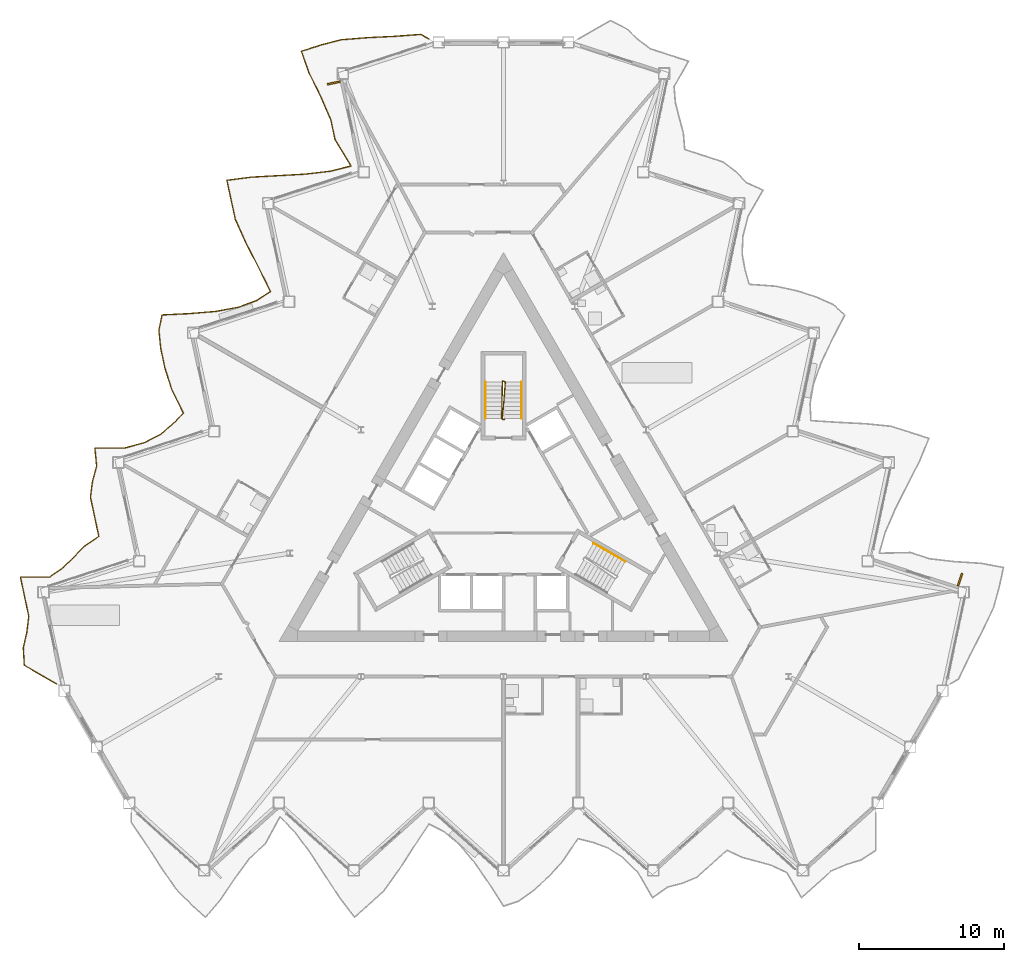
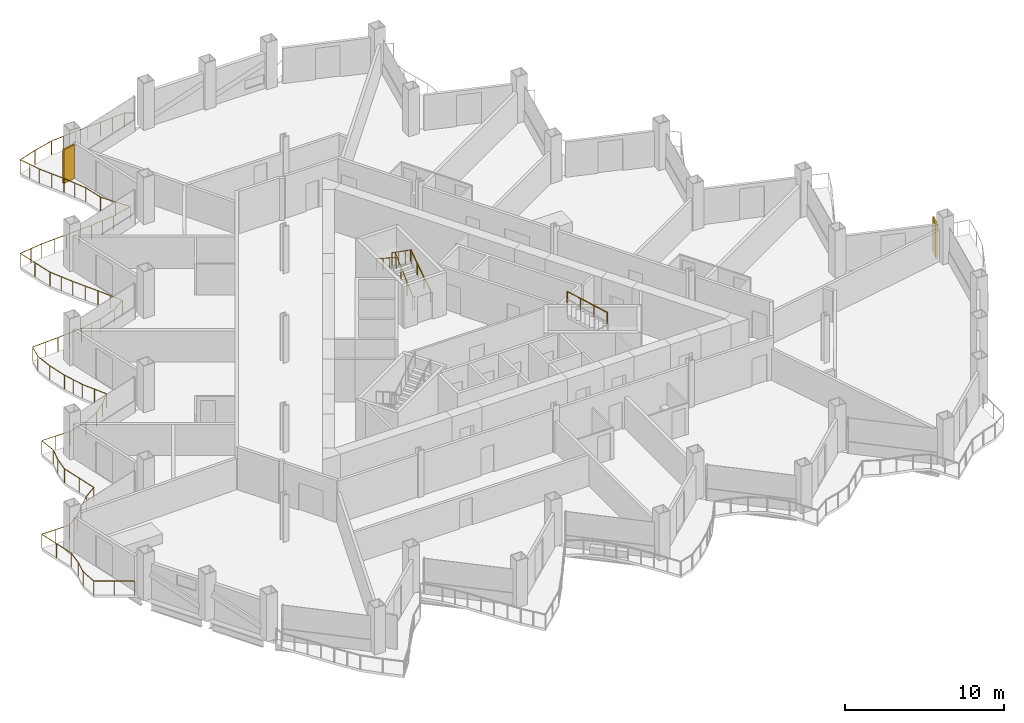
# One storey, part 19 of 22: 5 railings, 2 shading devices.
"""IFC4 building model written with IfcOpenShell, lengths in metres."""

from ifc_helpers import new_model, si_unit, direction, frame, origin, origin_2d, place, context, subcontext, project, spatial, rectangle, circle, extrude, material, layer, layer_set, type_object, element, save


model = new_model("IFC4")

# Units and contexts
model_context = context("Model", 3, precision=1e-05, world=origin(), true_north=direction((0.0, 1.0)))
body_context = subcontext(model_context, "Body", "Model", "MODEL_VIEW")
ifc_project = project(units=[si_unit("LENGTHUNIT", "METRE"), si_unit("AREAUNIT", "SQUARE_METRE"), si_unit("VOLUMEUNIT", "CUBIC_METRE"), si_unit("PLANEANGLEUNIT", "RADIAN"), si_unit("MASSUNIT", "GRAM", prefix="KILO")], contexts=[model_context])

# Site, building, storey
site_placement = place(None, origin())
site = spatial("IfcSite", under=ifc_project, at=site_placement, CompositionType="ELEMENT")
building_placement = place(site_placement, origin())
building = spatial("IfcBuilding", under=site, at=building_placement, Name="Cormorant Prow Tower", CompositionType="ELEMENT")
storey_placement = place(building_placement, frame((0.0, 0.0, 190.800048828125)))
storey = spatial("IfcBuildingStorey", under=building, at=storey_placement, Name="L41", CompositionType="ELEMENT", Elevation=190.800048828125)

# Railings
ifc_material_1 = material(Name="Aluminium 6063-T6", Category="aluminium")
railing_type_1 = type_object("IfcRailingType", Name="Balcony guard 1100", PredefinedType="GUARDRAIL", material=ifc_material_1)
railing_1_placement = place(storey_placement, frame((-5.148681640625, 32.639892578125, 0.0)))
element("IfcRailing", 1, at=railing_1_placement, inside=storey, type_object=railing_type_1, Name="Balcony guard WNW", PredefinedType="GUARDRAIL", context=body_context, shape_type="SweptSolid", body=[
    extrude(circle(Radius=0.02392578125, at=origin_2d()), frame((0.0, 0.0, 1.076171875), z_axis=(-0.866038622153, 0.499977104415, 0.0), x_axis=(-0.499977104415, -0.866038622153, 0.0)), (0.0, 0.0, 1.0), 0.63623046875),
    extrude(circle(Radius=0.02392578125, at=origin_2d()), frame((-0.551025390625, 0.318115234375, 1.076171875), z_axis=(-0.997242522475, -0.074211531238, 0.0), x_axis=(0.074211531238, -0.997242522475, 0.0)), (0.0, 0.0, 1.0), 1.825927734375),
    extrude(circle(Radius=0.02392578125, at=origin_2d()), frame((-2.371826171875, 0.1826171875, 1.076171875), z_axis=(-0.998823470509, -0.048494069334, 0.0), x_axis=(0.048494069334, -0.998823470509, 0.0)), (0.0, 0.0, 1.0), 1.89794921875),
    extrude(circle(Radius=0.02392578125, at=origin_2d()), frame((-4.267578125, 0.090576171875, 1.076171875), z_axis=(-0.996760989891, -0.080420948961, 0.0), x_axis=(0.080420948961, -0.996760989891, 0.0)), (0.0, 0.0, 1.0), 1.809326171875),
    extrude(circle(Radius=0.02392578125, at=origin_2d()), frame((-6.071044921875, -0.054931640625, 1.076171875), z_axis=(-0.967608412094, -0.2524558592, 0.0), x_axis=(0.2524558592, -0.967608412094, 0.0)), (0.0, 0.0, 1.0), 1.463134765625),
    extrude(circle(Radius=0.02392578125, at=origin_2d()), frame((-7.48681640625, -0.42431640625, 1.076171875), z_axis=(-0.951022391845, -0.309121998909, 0.0), x_axis=(0.309121998909, -0.951022391845, 0.0)), (0.0, 0.0, 1.0), 1.3828125),
    extrude(circle(Radius=0.02392578125, at=origin_2d()), frame((-8.802001953125, -0.851806640625, 1.076171875), z_axis=(0.332771631178, -0.943007445084, 0.0), x_axis=(0.943007445084, 0.332771631178, 0.0)), (0.0, 0.0, 1.0), 1.580322265625),
    extrude(circle(Radius=0.02392578125, at=origin_2d()), frame((-8.276123046875, -2.342041015625, 1.076171875), z_axis=(0.443787456964, -0.896132073436, 0.0), x_axis=(0.896132073436, 0.443787456964, 0.0)), (0.0, 0.0, 1.0), 1.8544921875),
    extrude(circle(Radius=0.02392578125, at=origin_2d()), frame((-7.453125, -4.00390625, 1.076171875), z_axis=(0.39655279315, -0.918011918357, 0.0), x_axis=(0.918011918357, 0.39655279315, 0.0)), (0.0, 0.0, 1.0), 1.721923828125),
    extrude(circle(Radius=0.02392578125, at=origin_2d()), frame((-6.770263671875, -5.584716796875, 1.076171875), z_axis=(0.207949539051, -0.978139555078, 0.0), x_axis=(0.978139555078, 0.207949539051, 0.0)), (0.0, 0.0, 1.0), 1.383056640625),
    extrude(circle(Radius=0.02392578125, at=origin_2d()), frame((-6.482666015625, -6.9375, 1.076171875), z_axis=(0.51860821438, -0.855011999903, 0.0), x_axis=(0.855011999903, 0.51860821438, 0.0)), (0.0, 0.0, 1.0), 2.1357421875),
    extrude(circle(Radius=0.02392578125, at=origin_2d()), frame((-5.375, -8.763671875, 1.076171875), z_axis=(-0.969967286185, -0.243235408052, 0.0), x_axis=(0.243235408052, -0.969967286185, 0.0)), (0.0, 0.0, 1.0), 1.4775390625),
    extrude(circle(Radius=0.02392578125, at=origin_2d()), frame((-6.80810546875, -9.123046875, 1.076171875), z_axis=(-0.993265315285, -0.115862044915, 0.0), x_axis=(0.115862044915, -0.993265315285, 0.0)), (0.0, 0.0, 1.0), 1.721435546875),
    extrude(circle(Radius=0.02392578125, at=origin_2d()), frame((-8.51806640625, -9.322509765625, 1.076171875), z_axis=(-0.998433411104, -0.055952869383, 0.0), x_axis=(0.055952869383, -0.998433411104, 0.0)), (0.0, 0.0, 1.0), 1.876220703125),
    extrude(circle(Radius=0.02392578125, at=origin_2d()), frame((-10.391357421875, -9.427490234375, 1.076171875), z_axis=(-0.998473917149, -0.055225327276, 0.0), x_axis=(0.055225327276, -0.998473917149, 0.0)), (0.0, 0.0, 1.0), 1.87890625),
    extrude(circle(Radius=0.02392578125, at=origin_2d()), frame((-12.267333984375, -9.53125, 1.076171875), z_axis=(-0.991411402956, -0.130780082923, 0.0), x_axis=(0.130780082923, -0.991411402956, 0.0)), (0.0, 0.0, 1.0), 1.6875),
    extrude(circle(Radius=0.02392578125, at=origin_2d()), frame((-13.9404296875, -9.751953125, 1.076171875), z_axis=(0.207985451478, -0.978131919515, 0.0), x_axis=(0.978131919515, 0.207985451478, 0.0)), (0.0, 0.0, 1.0), 1.3828125),
    extrude(circle(Radius=0.02392578125, at=origin_2d()), frame((-13.65283203125, -11.1044921875, 1.076171875), z_axis=(0.214701160667, -0.9766797897, 0.0), x_axis=(0.9766797897, 0.214701160667, 0.0)), (0.0, 0.0, 1.0), 1.391845703125),
    extrude(circle(Radius=0.02392578125, at=origin_2d()), frame((-13.35400390625, -12.4638671875, 1.076171875), z_axis=(0.413094281696, -0.910688264133, 0.0), x_axis=(0.910688264133, 0.413094281696, 0.0)), (0.0, 0.0, 1.0), 1.765380859375),
    extrude(circle(Radius=0.02392578125, at=origin_2d()), frame((-12.624755859375, -14.071533203125, 1.076171875), z_axis=(0.45514973484, -0.890414913888, 0.0), x_axis=(0.890414913888, 0.45514973484, 0.0)), (0.0, 0.0, 1.0), 1.890869140625),
    extrude(circle(Radius=0.02392578125, at=origin_2d()), frame((-11.76416015625, -15.755126953125, 1.076171875), z_axis=(0.445004946101, -0.895528111198, 0.0), x_axis=(0.895528111198, 0.445004946101, 0.0)), (0.0, 0.0, 1.0), 1.858154296875),
    extrude(circle(Radius=0.02392578125, at=origin_2d()), frame((-10.937255859375, -17.419189453125, 1.076171875), z_axis=(-0.837454583753, -0.546506925987, 0.0), x_axis=(0.546506925987, -0.837454583753, 0.0)), (0.0, 0.0, 1.0), 1.152099609375),
    extrude(circle(Radius=0.02392578125, at=origin_2d()), frame((-11.902099609375, -18.048828125, 1.076171875), z_axis=(-0.938221470965, -0.346035361518, 0.0), x_axis=(0.346035361518, -0.938221470965, 0.0)), (0.0, 0.0, 1.0), 1.3369140625),
    extrude(circle(Radius=0.02392578125, at=origin_2d()), frame((-13.156494140625, -18.511474609375, 1.076171875), z_axis=(-0.98375897947, -0.179494485466, 0.0), x_axis=(0.179494485466, -0.98375897947, 0.0)), (0.0, 0.0, 1.0), 1.58740234375),
    extrude(circle(Radius=0.02392578125, at=origin_2d()), frame((-14.718017578125, -18.79638671875, 1.076171875), z_axis=(-0.996586702739, -0.082552673638, 0.0), x_axis=(0.082552673638, -0.996586702739, 0.0)), (0.0, 0.0, 1.0), 1.803955078125),
    extrude(circle(Radius=0.02392578125, at=origin_2d()), frame((-16.515869140625, -18.9453125, 1.076171875), z_axis=(-0.998816623343, -0.048634894193, 0.0), x_axis=(0.048634894193, -0.998816623343, 0.0)), (0.0, 0.0, 1.0), 1.8974609375),
    extrude(circle(Radius=0.02392578125, at=origin_2d()), frame((-18.4111328125, -19.03759765625, 1.076171875), z_axis=(-0.206397409922, -0.978468246382, 0.0), x_axis=(0.978468246382, -0.206397409922, 0.0)), (0.0, 0.0, 1.0), 1.0810546875),
    extrude(circle(Radius=0.02392578125, at=origin_2d()), frame((-18.63427734375, -20.095458984375, 1.076171875), z_axis=(0.102761274758, -0.994706047237, 0.0), x_axis=(0.994706047237, 0.102761274758, 0.0)), (0.0, 0.0, 1.0), 1.268798828125),
    extrude(circle(Radius=0.02392578125, at=origin_2d()), frame((-18.50390625, -21.357421875, 1.076171875), z_axis=(0.207949539051, -0.978139555078, 0.0), x_axis=(0.978139555078, 0.207949539051, 0.0)), (0.0, 0.0, 1.0), 1.383056640625),
    extrude(circle(Radius=0.02392578125, at=origin_2d()), frame((-18.21630859375, -22.710205078125, 1.076171875), z_axis=(0.303626216772, -0.952791226077, 0.0), x_axis=(0.952791226077, 0.303626216772, 0.0)), (0.0, 0.0, 1.0), 1.526123046875),
    extrude(circle(Radius=0.02392578125, at=origin_2d()), frame((-17.7529296875, -24.164306640625, 1.076171875), z_axis=(0.437991459779, -0.898979132773, 0.0), x_axis=(0.898979132773, 0.437991459779, 0.0)), (0.0, 0.0, 1.0), 1.836669921875),
    extrude(circle(Radius=0.02392578125, at=origin_2d()), frame((-16.948486328125, -25.8154296875, 1.076171875), z_axis=(-0.69478777772, -0.719214810701, 0.0), x_axis=(0.719214810701, -0.69478777772, 0.0)), (0.0, 0.0, 1.0), 1.059326171875),
    extrude(circle(Radius=0.02392578125, at=origin_2d()), frame((-17.6845703125, -26.577392578125, 1.076171875), z_axis=(-0.767709135286, -0.640798473468, 0.0), x_axis=(0.640798473468, -0.767709135286, 0.0)), (0.0, 0.0, 1.0), 1.094482421875),
    extrude(circle(Radius=0.02392578125, at=origin_2d()), frame((-18.52490234375, -27.27880859375, 1.076171875), z_axis=(-0.887141360466, -0.461497786072, 0.0), x_axis=(0.461497786072, -0.887141360466, 0.0)), (0.0, 0.0, 1.0), 1.21875),
    extrude(circle(Radius=0.02392578125, at=origin_2d()), frame((-19.606201171875, -27.84130859375, 1.076171875), z_axis=(-0.96382778081, -0.266525812894, 0.0), x_axis=(0.266525812894, -0.96382778081, 0.0)), (0.0, 0.0, 1.0), 1.44189453125),
    extrude(circle(Radius=0.02392578125, at=origin_2d()), frame((-20.995849609375, -28.2255859375, 1.076171875), z_axis=(-0.999999653356, -0.000832639178, 0.0), x_axis=(0.000832639178, -0.999999653356, 0.0)), (0.0, 0.0, 1.0), 2.052490234375),
    extrude(circle(Radius=0.02392578125, at=origin_2d()), frame((-23.04833984375, -28.227294921875, 1.076171875), z_axis=(0.094480173238, -0.99552674342, 0.0), x_axis=(0.99552674342, 0.094480173238, 0.0)), (0.0, 0.0, 1.0), 1.260986328125),
    extrude(circle(Radius=0.02392578125, at=origin_2d()), frame((-22.92919921875, -29.482666015625, 1.076171875), z_axis=(-0.266754217581, -0.963764591279, 0.0), x_axis=(0.963764591279, -0.266754217581, 0.0)), (0.0, 0.0, 1.0), 1.061767578125),
    extrude(circle(Radius=0.02392578125, at=origin_2d()), frame((-23.21240234375, -30.505859375, 1.076171875), z_axis=(-0.128026984945, -0.991770684748, 0.0), x_axis=(0.991770684748, -0.128026984945, 0.0)), (0.0, 0.0, 1.0), 1.11376953125),
    extrude(circle(Radius=0.02392578125, at=origin_2d()), frame((-23.35498046875, -31.6103515625, 1.076171875), z_axis=(0.207985451478, -0.978131919515, 0.0), x_axis=(0.978131919515, 0.207985451478, 0.0)), (0.0, 0.0, 1.0), 1.3828125),
    extrude(circle(Radius=0.02392578125, at=origin_2d()), frame((-23.0673828125, -32.962890625, 1.076171875), z_axis=(0.207780635717, -0.978175448179, 0.0), x_axis=(0.978175448179, 0.207780635717, 0.0)), (0.0, 0.0, 1.0), 1.383056640625),
    extrude(circle(Radius=0.02392578125, at=origin_2d()), frame((-22.780029296875, -34.315673828125, 1.076171875), z_axis=(-0.822377714509, -0.568941908, 0.0), x_axis=(0.568941908, -0.822377714509, 0.0)), (0.0, 0.0, 1.0), 1.13671875),
    extrude(circle(Radius=0.02392578125, at=origin_2d()), frame((-23.71484375, -34.96240234375, 1.076171875), z_axis=(-0.7061881636, -0.708024206924, 0.0), x_axis=(0.708024206924, -0.7061881636, 0.0)), (0.0, 0.0, 1.0), 1.063720703125),
    extrude(circle(Radius=0.02392578125, at=origin_2d()), frame((-24.466064453125, -35.715576171875, 1.076171875), z_axis=(-0.713599333465, -0.700554060211, 0.0), x_axis=(0.700554060211, -0.713599333465, 0.0)), (0.0, 0.0, 1.0), 1.066650390625),
    extrude(circle(Radius=0.02392578125, at=origin_2d()), frame((-25.227294921875, -36.462890625, 1.076171875), z_axis=(-0.820009529366, -0.572349868306, 0.0), x_axis=(0.572349868306, -0.820009529366, 0.0)), (0.0, 0.0, 1.0), 1.134765625),
    extrude(circle(Radius=0.02392578125, at=origin_2d()), frame((-26.15771484375, -37.1123046875, 1.076171875), z_axis=(-0.99997218211, -0.007458887788, 0.0), x_axis=(0.007458887788, -0.99997218211, 0.0)), (0.0, 0.0, 1.0), 2.029296875),
    extrude(circle(Radius=0.02392578125, at=origin_2d()), frame((-28.18701171875, -37.12744140625, 1.076171875), z_axis=(0.207985451478, -0.978131919515, 0.0), x_axis=(0.978131919515, 0.207985451478, 0.0)), (0.0, 0.0, 1.0), 1.3828125),
    extrude(circle(Radius=0.02392578125, at=origin_2d()), frame((-27.8994140625, -38.47998046875, 1.076171875), z_axis=(0.207949539051, -0.978139555078, 0.0), x_axis=(0.978139555078, 0.207949539051, 0.0)), (0.0, 0.0, 1.0), 1.383056640625),
    extrude(circle(Radius=0.02392578125, at=origin_2d()), frame((-27.61181640625, -39.832763671875, 1.076171875), z_axis=(-0.119248565698, -0.992864431621, 0.0), x_axis=(0.992864431621, -0.119248565698, 0.0)), (0.0, 0.0, 1.0), 1.117919921875),
    extrude(circle(Radius=0.02392578125, at=origin_2d()), frame((-27.7451171875, -40.942626953125, 1.076171875), z_axis=(-0.225656072013, -0.974207029929, 0.0), x_axis=(0.974207029929, -0.225656072013, 0.0)), (0.0, 0.0, 1.0), 1.074462890625),
    extrude(circle(Radius=0.02392578125, at=origin_2d()), frame((-27.987548828125, -41.9892578125, 1.076171875), z_axis=(0.056240462281, -0.998417252657, 0.0), x_axis=(0.998417252657, 0.056240462281, 0.0)), (0.0, 0.0, 1.0), 1.228515625),
    extrude(circle(Radius=0.02392578125, at=origin_2d()), frame((-27.91845703125, -43.2158203125, 1.076171875), z_axis=(0.866013163002, -0.500021201058, 0.0), x_axis=(0.500021201058, 0.866013163002, 0.0)), (0.0, 0.0, 1.0), 2.5703125),
    extrude(circle(Radius=0.02099609375, at=origin_2d()), origin(), (0.0, 0.0, 1.0), 1.052001953125),
    extrude(circle(Radius=0.02099609375, at=origin_2d()), frame((-0.551025390625, 0.318115234375, 0.0)), (0.0, 0.0, 1.0), 1.052001953125),
    extrude(circle(Radius=0.02099609375, at=origin_2d()), frame((-1.46142578125, 0.25048828125, 0.0)), (0.0, 0.0, 1.0), 1.052001953125),
    extrude(circle(Radius=0.02099609375, at=origin_2d()), frame((-2.371826171875, 0.1826171875, 0.0)), (0.0, 0.0, 1.0), 1.052001953125),
    extrude(circle(Radius=0.02099609375, at=origin_2d()), frame((-3.31982421875, 0.13671875, 0.0)), (0.0, 0.0, 1.0), 1.052001953125),
    extrude(circle(Radius=0.02099609375, at=origin_2d()), frame((-4.267578125, 0.090576171875, 0.0)), (0.0, 0.0, 1.0), 1.052001953125),
    extrude(circle(Radius=0.02099609375, at=origin_2d()), frame((-5.16943359375, 0.017822265625, 0.0)), (0.0, 0.0, 1.0), 1.052001953125),
    extrude(circle(Radius=0.02099609375, at=origin_2d()), frame((-6.071044921875, -0.054931640625, 0.0)), (0.0, 0.0, 1.0), 1.052001953125),
    extrude(circle(Radius=0.02099609375, at=origin_2d()), frame((-7.48681640625, -0.42431640625, 0.0)), (0.0, 0.0, 1.0), 1.052001953125),
    extrude(circle(Radius=0.02099609375, at=origin_2d()), frame((-8.802001953125, -0.851806640625, 0.0)), (0.0, 0.0, 1.0), 1.052001953125),
    extrude(circle(Radius=0.02099609375, at=origin_2d()), frame((-8.5390625, -1.596923828125, 0.0)), (0.0, 0.0, 1.0), 1.052001953125),
    extrude(circle(Radius=0.02099609375, at=origin_2d()), frame((-8.276123046875, -2.342041015625, 0.0)), (0.0, 0.0, 1.0), 1.052001953125),
    extrude(circle(Radius=0.02099609375, at=origin_2d()), frame((-7.86474609375, -3.1728515625, 0.0)), (0.0, 0.0, 1.0), 1.052001953125),
    extrude(circle(Radius=0.02099609375, at=origin_2d()), frame((-7.453125, -4.00390625, 0.0)), (0.0, 0.0, 1.0), 1.052001953125),
    extrude(circle(Radius=0.02099609375, at=origin_2d()), frame((-7.11181640625, -4.79443359375, 0.0)), (0.0, 0.0, 1.0), 1.052001953125),
    extrude(circle(Radius=0.02099609375, at=origin_2d()), frame((-6.770263671875, -5.584716796875, 0.0)), (0.0, 0.0, 1.0), 1.052001953125),
    extrude(circle(Radius=0.02099609375, at=origin_2d()), frame((-6.482666015625, -6.9375, 0.0)), (0.0, 0.0, 1.0), 1.052001953125),
    extrude(circle(Radius=0.02099609375, at=origin_2d()), frame((-5.9287109375, -7.8505859375, 0.0)), (0.0, 0.0, 1.0), 1.052001953125),
    extrude(circle(Radius=0.02099609375, at=origin_2d()), frame((-5.375, -8.763671875, 0.0)), (0.0, 0.0, 1.0), 1.052001953125),
    extrude(circle(Radius=0.02099609375, at=origin_2d()), frame((-6.80810546875, -9.123046875, 0.0)), (0.0, 0.0, 1.0), 1.052001953125),
    extrude(circle(Radius=0.02099609375, at=origin_2d()), frame((-7.6630859375, -9.22265625, 0.0)), (0.0, 0.0, 1.0), 1.052001953125),
    extrude(circle(Radius=0.02099609375, at=origin_2d()), frame((-8.51806640625, -9.322509765625, 0.0)), (0.0, 0.0, 1.0), 1.052001953125),
    extrude(circle(Radius=0.02099609375, at=origin_2d()), frame((-9.45458984375, -9.375, 0.0)), (0.0, 0.0, 1.0), 1.052001953125),
    extrude(circle(Radius=0.02099609375, at=origin_2d()), frame((-10.391357421875, -9.427490234375, 0.0)), (0.0, 0.0, 1.0), 1.052001953125),
    extrude(circle(Radius=0.02099609375, at=origin_2d()), frame((-11.329345703125, -9.4794921875, 0.0)), (0.0, 0.0, 1.0), 1.052001953125),
    extrude(circle(Radius=0.02099609375, at=origin_2d()), frame((-12.267333984375, -9.53125, 0.0)), (0.0, 0.0, 1.0), 1.052001953125),
    extrude(circle(Radius=0.02099609375, at=origin_2d()), frame((-13.10400390625, -9.6416015625, 0.0)), (0.0, 0.0, 1.0), 1.052001953125),
    extrude(circle(Radius=0.02099609375, at=origin_2d()), frame((-13.9404296875, -9.751953125, 0.0)), (0.0, 0.0, 1.0), 1.052001953125),
    extrude(circle(Radius=0.02099609375, at=origin_2d()), frame((-13.65283203125, -11.1044921875, 0.0)), (0.0, 0.0, 1.0), 1.052001953125),
    extrude(circle(Radius=0.02099609375, at=origin_2d()), frame((-13.35400390625, -12.4638671875, 0.0)), (0.0, 0.0, 1.0), 1.052001953125),
    extrude(circle(Radius=0.02099609375, at=origin_2d()), frame((-12.9892578125, -13.267578125, 0.0)), (0.0, 0.0, 1.0), 1.052001953125),
    extrude(circle(Radius=0.02099609375, at=origin_2d()), frame((-12.624755859375, -14.071533203125, 0.0)), (0.0, 0.0, 1.0), 1.052001953125),
    extrude(circle(Radius=0.02099609375, at=origin_2d()), frame((-12.1943359375, -14.913330078125, 0.0)), (0.0, 0.0, 1.0), 1.052001953125),
    extrude(circle(Radius=0.02099609375, at=origin_2d()), frame((-11.76416015625, -15.755126953125, 0.0)), (0.0, 0.0, 1.0), 1.052001953125),
    extrude(circle(Radius=0.02099609375, at=origin_2d()), frame((-11.3505859375, -16.587158203125, 0.0)), (0.0, 0.0, 1.0), 1.052001953125),
    extrude(circle(Radius=0.02099609375, at=origin_2d()), frame((-10.937255859375, -17.419189453125, 0.0)), (0.0, 0.0, 1.0), 1.052001953125),
    extrude(circle(Radius=0.02099609375, at=origin_2d()), frame((-11.902099609375, -18.048828125, 0.0)), (0.0, 0.0, 1.0), 1.052001953125),
    extrude(circle(Radius=0.02099609375, at=origin_2d()), frame((-13.156494140625, -18.511474609375, 0.0)), (0.0, 0.0, 1.0), 1.052001953125),
    extrude(circle(Radius=0.02099609375, at=origin_2d()), frame((-13.937255859375, -18.65380859375, 0.0)), (0.0, 0.0, 1.0), 1.052001953125),
    extrude(circle(Radius=0.02099609375, at=origin_2d()), frame((-14.718017578125, -18.79638671875, 0.0)), (0.0, 0.0, 1.0), 1.052001953125),
    extrude(circle(Radius=0.02099609375, at=origin_2d()), frame((-15.616943359375, -18.870849609375, 0.0)), (0.0, 0.0, 1.0), 1.052001953125),
    extrude(circle(Radius=0.02099609375, at=origin_2d()), frame((-16.515869140625, -18.9453125, 0.0)), (0.0, 0.0, 1.0), 1.052001953125),
    extrude(circle(Radius=0.02099609375, at=origin_2d()), frame((-17.46337890625, -18.991455078125, 0.0)), (0.0, 0.0, 1.0), 1.052001953125),
    extrude(circle(Radius=0.02099609375, at=origin_2d()), frame((-18.4111328125, -19.03759765625, 0.0)), (0.0, 0.0, 1.0), 1.052001953125),
    extrude(circle(Radius=0.02099609375, at=origin_2d()), frame((-18.63427734375, -20.095458984375, 0.0)), (0.0, 0.0, 1.0), 1.052001953125),
    extrude(circle(Radius=0.02099609375, at=origin_2d()), frame((-18.50390625, -21.357421875, 0.0)), (0.0, 0.0, 1.0), 1.052001953125),
    extrude(circle(Radius=0.02099609375, at=origin_2d()), frame((-18.21630859375, -22.710205078125, 0.0)), (0.0, 0.0, 1.0), 1.052001953125),
    extrude(circle(Radius=0.02099609375, at=origin_2d()), frame((-17.984619140625, -23.437255859375, 0.0)), (0.0, 0.0, 1.0), 1.052001953125),
    extrude(circle(Radius=0.02099609375, at=origin_2d()), frame((-17.7529296875, -24.164306640625, 0.0)), (0.0, 0.0, 1.0), 1.052001953125),
    extrude(circle(Radius=0.02099609375, at=origin_2d()), frame((-17.3505859375, -24.98974609375, 0.0)), (0.0, 0.0, 1.0), 1.052001953125),
    extrude(circle(Radius=0.02099609375, at=origin_2d()), frame((-16.948486328125, -25.8154296875, 0.0)), (0.0, 0.0, 1.0), 1.052001953125),
    extrude(circle(Radius=0.02099609375, at=origin_2d()), frame((-17.6845703125, -26.577392578125, 0.0)), (0.0, 0.0, 1.0), 1.052001953125),
    extrude(circle(Radius=0.02099609375, at=origin_2d()), frame((-18.52490234375, -27.27880859375, 0.0)), (0.0, 0.0, 1.0), 1.052001953125),
    extrude(circle(Radius=0.02099609375, at=origin_2d()), frame((-19.606201171875, -27.84130859375, 0.0)), (0.0, 0.0, 1.0), 1.052001953125),
    extrude(circle(Radius=0.02099609375, at=origin_2d()), frame((-20.995849609375, -28.2255859375, 0.0)), (0.0, 0.0, 1.0), 1.052001953125),
    extrude(circle(Radius=0.02099609375, at=origin_2d()), frame((-22.02197265625, -28.2265625, 0.0)), (0.0, 0.0, 1.0), 1.052001953125),
    extrude(circle(Radius=0.02099609375, at=origin_2d()), frame((-23.04833984375, -28.227294921875, 0.0)), (0.0, 0.0, 1.0), 1.052001953125),
    extrude(circle(Radius=0.02099609375, at=origin_2d()), frame((-22.92919921875, -29.482666015625, 0.0)), (0.0, 0.0, 1.0), 1.052001953125),
    extrude(circle(Radius=0.02099609375, at=origin_2d()), frame((-23.21240234375, -30.505859375, 0.0)), (0.0, 0.0, 1.0), 1.052001953125),
    extrude(circle(Radius=0.02099609375, at=origin_2d()), frame((-23.35498046875, -31.6103515625, 0.0)), (0.0, 0.0, 1.0), 1.052001953125),
    extrude(circle(Radius=0.02099609375, at=origin_2d()), frame((-23.0673828125, -32.962890625, 0.0)), (0.0, 0.0, 1.0), 1.052001953125),
    extrude(circle(Radius=0.02099609375, at=origin_2d()), frame((-22.780029296875, -34.315673828125, 0.0)), (0.0, 0.0, 1.0), 1.052001953125),
    extrude(circle(Radius=0.02099609375, at=origin_2d()), frame((-23.71484375, -34.96240234375, 0.0)), (0.0, 0.0, 1.0), 1.052001953125),
    extrude(circle(Radius=0.02099609375, at=origin_2d()), frame((-24.466064453125, -35.715576171875, 0.0)), (0.0, 0.0, 1.0), 1.052001953125),
    extrude(circle(Radius=0.02099609375, at=origin_2d()), frame((-25.227294921875, -36.462890625, 0.0)), (0.0, 0.0, 1.0), 1.052001953125),
    extrude(circle(Radius=0.02099609375, at=origin_2d()), frame((-26.15771484375, -37.1123046875, 0.0)), (0.0, 0.0, 1.0), 1.052001953125),
    extrude(circle(Radius=0.02099609375, at=origin_2d()), frame((-27.17236328125, -37.119873046875, 0.0)), (0.0, 0.0, 1.0), 1.052001953125),
    extrude(circle(Radius=0.02099609375, at=origin_2d()), frame((-28.18701171875, -37.12744140625, 0.0)), (0.0, 0.0, 1.0), 1.052001953125),
    extrude(circle(Radius=0.02099609375, at=origin_2d()), frame((-27.8994140625, -38.47998046875, 0.0)), (0.0, 0.0, 1.0), 1.052001953125),
    extrude(circle(Radius=0.02099609375, at=origin_2d()), frame((-27.61181640625, -39.832763671875, 0.0)), (0.0, 0.0, 1.0), 1.052001953125),
    extrude(circle(Radius=0.02099609375, at=origin_2d()), frame((-27.7451171875, -40.942626953125, 0.0)), (0.0, 0.0, 1.0), 1.052001953125),
    extrude(circle(Radius=0.02099609375, at=origin_2d()), frame((-27.987548828125, -41.9892578125, 0.0)), (0.0, 0.0, 1.0), 1.052001953125),
    extrude(circle(Radius=0.02099609375, at=origin_2d()), frame((-27.91845703125, -43.2158203125, 0.0)), (0.0, 0.0, 1.0), 1.052001953125),
    extrude(circle(Radius=0.02099609375, at=origin_2d()), frame((-26.8056640625, -43.8583984375, 0.0)), (0.0, 0.0, 1.0), 1.052001953125),
    extrude(circle(Radius=0.02099609375, at=origin_2d()), frame((-25.692626953125, -44.5009765625, 0.0)), (0.0, 0.0, 1.0), 1.052001953125),
])
ifc_material_2 = material(Name="Stainless steel", Category="steel")
railing_type_2 = type_object("IfcRailingType", Name="Stair guard 1100", PredefinedType="GUARDRAIL", material=ifc_material_2)
railing_2_placement = place(storey_placement, frame((0.074951171875, 6.40576171875, 0.0)))
element("IfcRailing", 2, at=railing_2_placement, inside=storey, type_object=railing_type_2, Name="L41 ST3 stair guard 1", PredefinedType="GUARDRAIL", context=body_context, shape_type="SweptSolid", body=[
    extrude(circle(Radius=0.02392578125, at=origin_2d()), frame((0.0, 0.0, 1.076171875), z_axis=(-1.0, 0.0, 0.0), x_axis=(0.0, -1.0, 0.0)), (0.0, 0.0, 1.0), 0.14990234375),
    extrude(circle(Radius=0.02392578125, at=origin_2d()), frame((-0.14990234375, 0.0, 1.076171875), z_axis=(0.063595540489, 0.817423998443, 0.572515164864), x_axis=(-0.996987254287, 0.077565551559, 0.0)), (0.0, 0.0, 1.0), 3.14404296875),
    extrude(circle(Radius=0.02392578125, at=origin_2d()), frame((0.050048828125, 2.570068359375, 2.8759765625), z_axis=(-0.970072785993, 0.242814311512, 0.0), x_axis=(-0.242814311512, -0.970072785993, 0.0)), (0.0, 0.0, 1.0), 0.2060546875),
    extrude(circle(Radius=0.02392578125, at=origin_2d()), frame((-0.14990234375, 2.6201171875, 2.8759765625), z_axis=(-0.015949268585, -0.819014392183, 0.573551258589), x_axis=(0.999810440751, -0.019470042781, 0.0)), (0.0, 0.0, 1.0), 3.137939453125),
    extrude(circle(Radius=0.02099609375, at=origin_2d()), origin(), (0.0, 0.0, 1.0), 1.052001953125),
    extrude(circle(Radius=0.02099609375, at=origin_2d()), frame((-0.14990234375, 0.0, 0.0)), (0.0, 0.0, 1.0), 1.052001953125),
    extrude(circle(Radius=0.02099609375, at=origin_2d()), frame((-0.083251953125, 0.856689453125, 0.60009765625)), (0.0, 0.0, 1.0), 1.052001953125),
    extrude(circle(Radius=0.02099609375, at=origin_2d()), frame((-0.0166015625, 1.71337890625, 1.199951171875)), (0.0, 0.0, 1.0), 1.052001953125),
    extrude(circle(Radius=0.02099609375, at=origin_2d()), frame((0.050048828125, 2.570068359375, 1.800048828125)), (0.0, 0.0, 1.0), 1.052001953125),
    extrude(circle(Radius=0.02099609375, at=origin_2d()), frame((-0.14990234375, 2.6201171875, 1.800048828125)), (0.0, 0.0, 1.0), 1.052001953125),
    extrude(circle(Radius=0.02099609375, at=origin_2d()), frame((-0.16650390625, 1.763427734375, 2.39990234375)), (0.0, 0.0, 1.0), 1.052001953125),
    extrude(circle(Radius=0.02099609375, at=origin_2d()), frame((-0.183349609375, 0.90673828125, 3.0)), (0.0, 0.0, 1.0), 1.052001953125),
    extrude(circle(Radius=0.02099609375, at=origin_2d()), frame((-0.199951171875, 0.050048828125, 3.599853515625)), (0.0, 0.0, 1.0), 1.052001953125),
])
ifc_material_3 = material(Name="Stainless steel", Category="steel")
railing_type_3 = type_object("IfcRailingType", Name="Stair handrail 900", PredefinedType="HANDRAIL", material=ifc_material_3)
railing_3_placement = place(storey_placement, frame((8.395263671875, -3.41064453125, 1.97998046875)))
element("IfcRailing", 3, at=railing_3_placement, inside=storey, type_object=railing_type_3, Name="L41 ST2 stair handrail 2", PredefinedType="HANDRAIL", context=body_context, shape_type="SweptSolid", body=[
    extrude(circle(Radius=0.02392578125, at=origin_2d()), frame((0.0, 0.0, 0.8759765625), z_axis=(-0.72849590497, 0.42060268101, 0.54072830624), x_axis=(-0.500004791531, -0.866022637375, 0.0)), (0.0, 0.0, 1.0), 2.99560546875),
    extrude(circle(Radius=0.02099609375, at=origin_2d()), origin(), (0.0, 0.0, 1.0), 0.851806640625),
    extrude(circle(Radius=0.02099609375, at=origin_2d()), frame((-0.7275390625, 0.419921875, 0.5400390625)), (0.0, 0.0, 1.0), 0.851806640625),
    extrude(circle(Radius=0.02099609375, at=origin_2d()), frame((-1.454833984375, 0.840087890625, 1.079833984375)), (0.0, 0.0, 1.0), 0.851806640625),
    extrude(circle(Radius=0.02099609375, at=origin_2d()), frame((-2.182373046875, 1.260009765625, 1.619873046875)), (0.0, 0.0, 1.0), 0.851806640625),
])
railing_4_placement = place(storey_placement, frame((1.243896484375, 6.455810546875, 0.179931640625)))
element("IfcRailing", 4, at=railing_4_placement, inside=storey, type_object=railing_type_3, Name="L41 ST3 stair handrail 1", PredefinedType="HANDRAIL", context=body_context, shape_type="SweptSolid", body=[
    extrude(circle(Radius=0.02392578125, at=origin_2d()), frame((0.0, 0.0, 0.8759765625), z_axis=(0.0, 0.841162588446, 0.540782303519), x_axis=(-1.0, 0.0, 0.0)), (0.0, 0.0, 1.0), 2.995849609375),
    extrude(circle(Radius=0.02099609375, at=origin_2d()), origin(), (0.0, 0.0, 1.0), 0.851806640625),
    extrude(circle(Radius=0.02099609375, at=origin_2d()), frame((0.0, 0.840087890625, 0.5400390625)), (0.0, 0.0, 1.0), 0.851806640625),
    extrude(circle(Radius=0.02099609375, at=origin_2d()), frame((0.0, 1.679931640625, 1.080078125)), (0.0, 0.0, 1.0), 0.851806640625),
    extrude(circle(Radius=0.02099609375, at=origin_2d()), frame((0.0, 2.52001953125, 1.6201171875)), (0.0, 0.0, 1.0), 0.851806640625),
])
railing_5_placement = place(storey_placement, frame((-1.243896484375, 8.975830078125, 1.97998046875)))
element("IfcRailing", 5, at=railing_5_placement, inside=storey, type_object=railing_type_3, Name="L41 ST3 stair handrail 2", PredefinedType="HANDRAIL", context=body_context, shape_type="SweptSolid", body=[
    extrude(circle(Radius=0.02392578125, at=origin_2d()), frame((0.0, 0.0, 0.8759765625), z_axis=(0.0, -0.841199657755, 0.540724639528), x_axis=(1.0, 0.0, 0.0)), (0.0, 0.0, 1.0), 2.995849609375),
    extrude(circle(Radius=0.02099609375, at=origin_2d()), origin(), (0.0, 0.0, 1.0), 0.851806640625),
    extrude(circle(Radius=0.02099609375, at=origin_2d()), frame((0.0, -0.840087890625, 0.5400390625)), (0.0, 0.0, 1.0), 0.851806640625),
    extrude(circle(Radius=0.02099609375, at=origin_2d()), frame((0.0, -1.679931640625, 1.079833984375)), (0.0, 0.0, 1.0), 0.851806640625),
    extrude(circle(Radius=0.02099609375, at=origin_2d()), frame((0.0, -2.52001953125, 1.619873046875)), (0.0, 0.0, 1.0), 0.851806640625),
])

# Shading devices
ifc_material_4 = material(Name="Terracotta", Category="masonry")
ifc_layer = layer(ifc_material_4, 0.1201171875)
ifc_layer_set = layer_set([ifc_layer], Name="Terracotta")
shading_device_type = type_object("IfcShadingDeviceType", Name="Terracotta baguette fin 120x900x2600", PredefinedType="USERDEFINED", material=ifc_layer_set)
for number, where, z_axis, x_axis, name in (
    (6, (31.49169921875, -4.66552734375, 0.0), (0.0, 0.0, 1.0), (-0.951056477458, 0.309017113905, 0.0), "Baguette fin ENE01"),
    (7, (-11.70556640625, 29.60546875, 0.0), (0.0, 0.0, 1.0), (0.207911659303, -0.978147607432, 0.0), "Baguette fin WNW01"),
):
    element("IfcShadingDevice", number, at=place(storey_placement, frame(where, z_axis=z_axis, x_axis=x_axis)), inside=storey, type_object=shading_device_type, Name=name, ObjectType="BAGUETTE", PredefinedType="USERDEFINED", context=body_context, shape_type="SweptSolid", body=[
        extrude(rectangle(XDim=0.1201171875, YDim=0.89990234375, at=origin_2d()), origin(), (0.0, 0.0, 1.0), 2.60009765625),
    ])

save(model, "model.ifc")
